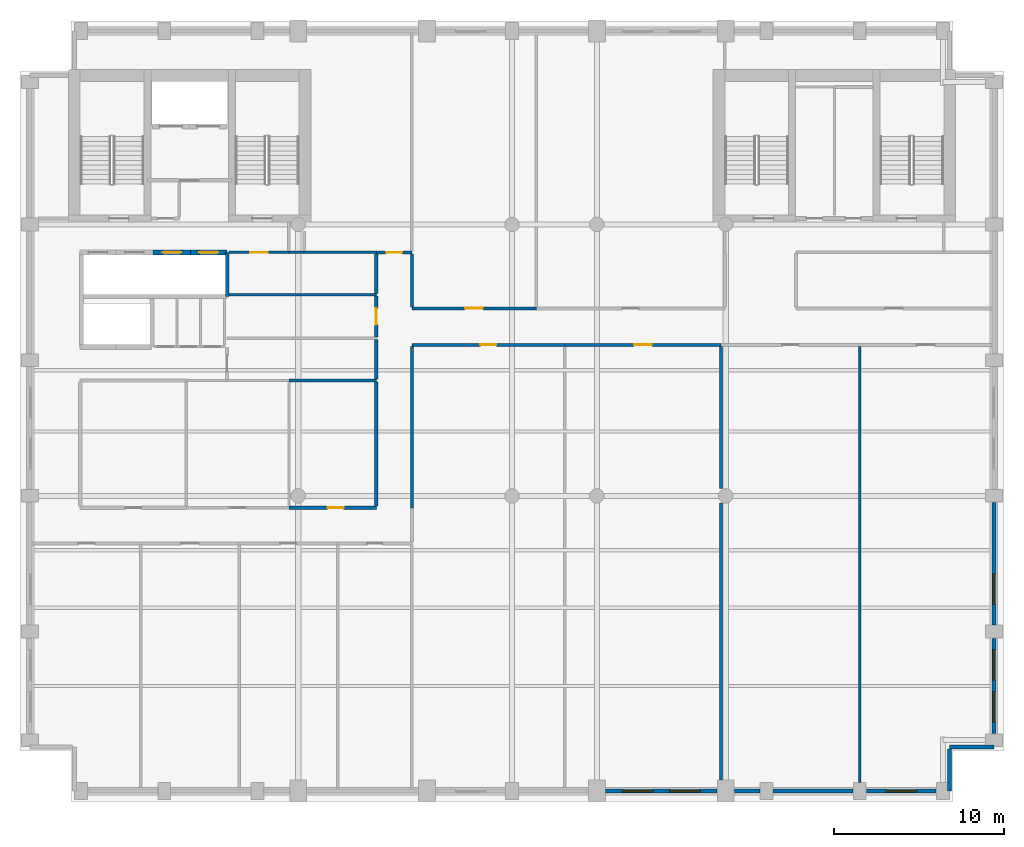
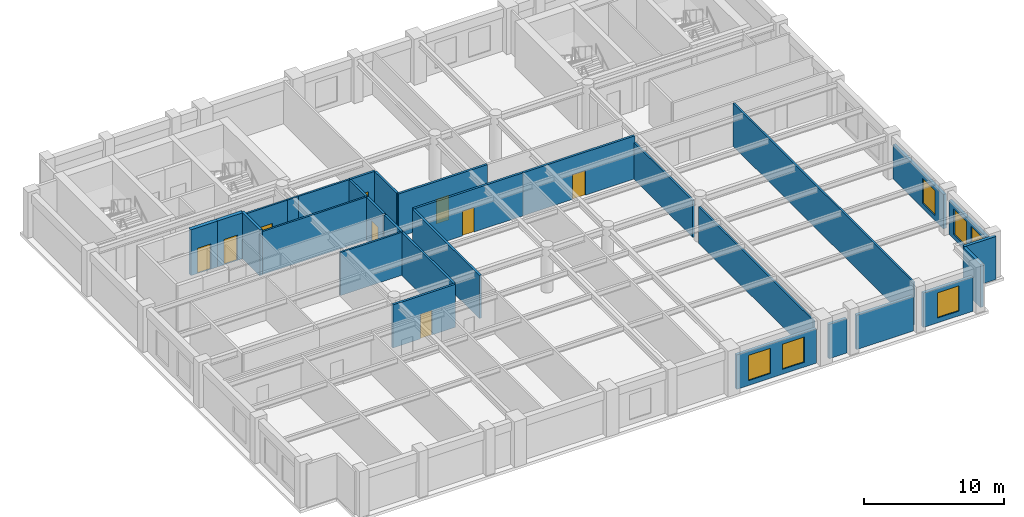
# One storey, part 4 of 8: 30 walls, 9 doors, 6 windows, 15 openings.
"""IFC4 building model written with IfcOpenShell, lengths in metres."""

from ifc_helpers import new_model, si_unit, direction, frame, frame_2d, origin, place, context, subcontext, project, spatial, rectangle, extrude, material, layer, layer_set, type_object, element, fill, save


model = new_model("IFC4")

# Units and contexts
model_context = context("Model", 3, precision=1e-05, world=origin(), true_north=direction((0.0, 1.0)))
body_context = subcontext(model_context, "Body", "Model", "MODEL_VIEW")
ifc_project = project(units=[si_unit("LENGTHUNIT", "METRE"), si_unit("AREAUNIT", "SQUARE_METRE"), si_unit("VOLUMEUNIT", "CUBIC_METRE"), si_unit("PLANEANGLEUNIT", "RADIAN"), si_unit("MASSUNIT", "GRAM", prefix="KILO")], contexts=[model_context])

# Site, building, storey
site_placement = place(None, origin())
site = spatial("IfcSite", under=ifc_project, at=site_placement, CompositionType="ELEMENT")
building_placement = place(site_placement, origin())
building = spatial("IfcBuilding", under=site, at=building_placement, Name="Sulina Concourse Tower", CompositionType="ELEMENT")
storey_placement = place(building_placement, frame((0.0, 0.0, 256.60009765625)))
storey = spatial("IfcBuildingStorey", under=building, at=storey_placement, Name="L62", CompositionType="ELEMENT", Elevation=256.60009765625)

# Wall
ifc_material_1 = material(Name="Concrete C50/60", Category="concrete")
ifc_layer_1 = layer(ifc_material_1, 0.219970703125)
ifc_layer_set_1 = layer_set([ifc_layer_1], Name="Concrete C50/60")
wall_type_1 = type_object("IfcWallType", Name="Core Lift Hoistway Divider Wall 220mm", PredefinedType="SOLIDWALL", material=ifc_layer_set_1)
wall_1_placement = place(storey_placement, frame((12.219970703125, 29.75, 0.0), z_axis=(0.0, 0.0, 1.0), x_axis=(0.0, 1.0, 0.0)))
element("IfcWall", 1, at=wall_1_placement, inside=storey, type_object=wall_type_1, Name="L62 shaft divider wall HW-LP3-E", PredefinedType="SOLIDWALL", context=body_context, shape_type="SweptSolid", body=[
    extrude(rectangle(XDim=2.60009765625, YDim=0.219970703125, at=frame_2d((1.300048828125, 0.0))), origin(), (0.0, 0.0, 1.0), 4.0),
])

# Wall, opening, door
ifc_material_2 = material(Name="Concrete C50/60", Category="concrete")
ifc_layer_2 = layer(ifc_material_2, 0.300048828125)
ifc_layer_set_2 = layer_set([ifc_layer_2], Name="Concrete C50/60")
wall_type_2 = type_object("IfcWallType", Name="Core Lift Hoistway Wall 300mm", PredefinedType="SOLIDWALL", material=ifc_layer_set_2)
wall_2_placement = place(storey_placement, frame((7.85009765625, 32.35009765625, 0.0), z_axis=(0.0, 0.0, 1.0), x_axis=(1.0, 0.0, 0.0)))
wall_2 = element("IfcWall", 2, at=wall_2_placement, inside=storey, type_object=wall_type_2, Name="L62 hoistway enclosure wall LP-11", PredefinedType="SOLIDWALL", context=body_context, shape_type="SweptSolid", body=[
    extrude(rectangle(XDim=2.199951171875, YDim=0.300048828125, at=frame_2d((1.10009765625, 0.0))), origin(), (0.0, 0.0, 1.0), 4.0),
])
opening_1_placement = place(wall_2_placement, frame((0.550048828125, 0.0, 0.0)))
opening_1 = element("IfcOpeningElement", 3, at=opening_1_placement, cuts=wall_2, Name="Opening LD-01", PredefinedType="OPENING", context=body_context, shape_type="SweptSolid", body=[
    extrude(rectangle(XDim=1.10009765625, YDim=2.199951171875, at=frame_2d((0.550048828125, 1.10009765625))), frame((0.0, 0.159912109375, 0.0), z_axis=(0.0, -1.0, 0.0), x_axis=(1.0, 0.0, 0.0)), (0.0, 0.0, 1.0), 0.320068359375),
])
ifc_material_3 = material(Name="Stainless steel lift landing door", Category="steel")
ifc_layer_3 = layer(ifc_material_3, 0.050048828125)
ifc_layer_set_3 = layer_set([ifc_layer_3], Name="Stainless steel lift landing door")
door_type_1 = type_object("IfcDoorType", Name="Passenger Lift Sliding Landing Door 1100x2200", OperationType="SLIDING_TO_LEFT", PredefinedType="DOOR", material=ifc_layer_set_3)
door_1_placement = place(opening_1_placement, origin())
door_1 = element("IfcDoor", 4, at=door_1_placement, inside=storey, type_object=door_type_1, Name="L62 lift landing sliding door LP-11", OperationType="SLIDING_TO_LEFT", OverallHeight=2.199951171875, OverallWidth=1.10009765625, PredefinedType="DOOR", context=body_context, shape_type="SweptSolid", body=[
    extrude(rectangle(XDim=1.10009765625, YDim=2.199951171875, at=frame_2d((0.550048828125, 1.10009765625))), frame((0.0, 0.02490234375, 0.0), z_axis=(0.0, -1.0, 0.0), x_axis=(1.0, 0.0, 0.0)), (0.0, 0.0, 1.0), 0.050048828125),
])
fill(opening_1, door_1)

wall_3_placement = place(storey_placement, frame((10.050048828125, 32.35009765625, 0.0), z_axis=(0.0, 0.0, 1.0), x_axis=(1.0, 0.0, 0.0)))
wall_3 = element("IfcWall", 5, at=wall_3_placement, inside=storey, type_object=wall_type_2, Name="L62 hoistway enclosure wall LP-12", PredefinedType="SOLIDWALL", context=body_context, shape_type="SweptSolid", body=[
    extrude(rectangle(XDim=2.14990234375, YDim=0.300048828125, at=frame_2d((1.074951171875, 0.0))), origin(), (0.0, 0.0, 1.0), 4.0),
])
opening_2_placement = place(wall_3_placement, frame((0.52490234375, 0.0, 0.0)))
opening_2 = element("IfcOpeningElement", 6, at=opening_2_placement, cuts=wall_3, Name="Opening LD-01", PredefinedType="OPENING", context=body_context, shape_type="SweptSolid", body=[
    extrude(rectangle(XDim=1.10009765625, YDim=2.199951171875, at=frame_2d((0.550048828125, 1.10009765625))), frame((0.0, 0.159912109375, 0.0), z_axis=(0.0, -1.0, 0.0), x_axis=(1.0, 0.0, 0.0)), (0.0, 0.0, 1.0), 0.320068359375),
])
door_2_placement = place(opening_2_placement, origin())
door_2 = element("IfcDoor", 7, at=door_2_placement, inside=storey, type_object=door_type_1, Name="L62 lift landing sliding door LP-12", OperationType="SLIDING_TO_RIGHT", OverallHeight=2.199951171875, OverallWidth=1.10009765625, PredefinedType="DOOR", context=body_context, shape_type="SweptSolid", body=[
    extrude(rectangle(XDim=1.10009765625, YDim=2.199951171875, at=frame_2d((0.550048828125, 1.10009765625))), frame((0.0, 0.02490234375, 0.0), z_axis=(0.0, -1.0, 0.0), x_axis=(1.0, 0.0, 0.0)), (0.0, 0.0, 1.0), 0.050048828125),
])
fill(opening_2, door_2)

# Wall, openings, windows
ifc_material_4 = material(Name="Precast concrete C50/60", Category="concrete")
ifc_layer_4 = layer(ifc_material_4, 0.239990234375)
ifc_layer_set_4 = layer_set([ifc_layer_4], Name="Precast concrete C50/60")
wall_type_3 = type_object("IfcWallType", Name="Crown Precast Masonry-Frame Facade Wall 240mm", PredefinedType="SOLIDWALL", material=ifc_layer_set_4)
wall_4_placement = place(storey_placement, frame((41.080078125, 0.60009765625, 0.0), z_axis=(0.0, 0.0, 1.0), x_axis=(-1.0, 0.0, 0.0)))
wall_4 = element("IfcWall", 8, at=wall_4_placement, inside=storey, type_object=wall_type_3, Name="L62 exterior precast wall S7", PredefinedType="SOLIDWALL", context=body_context, shape_type="SweptSolid", body=[
    extrude(rectangle(XDim=6.56005859375, YDim=0.239990234375, at=frame_2d((3.280029296875, 0.0))), origin(), (0.0, 0.0, 1.0), 3.0),
])
opening_3_placement = place(wall_4_placement, frame((0.98681640625, 0.0, 0.419921875)))
opening_3 = element("IfcOpeningElement", 9, at=opening_3_placement, cuts=wall_4, Name="Opening WN-25", PredefinedType="OPENING", context=body_context, shape_type="SweptSolid", body=[
    extrude(rectangle(XDim=1.800048828125, YDim=2.199951171875, at=frame_2d((0.89990234375, 1.10009765625))), frame((0.0, 0.1298828125, 0.0), z_axis=(0.0, -1.0, 0.0), x_axis=(1.0, 0.0, 0.0)), (0.0, 0.0, 1.0), 0.260009765625),
])
opening_4_placement = place(wall_4_placement, frame((3.773193359375, 0.0, 0.419921875)))
opening_4 = element("IfcOpeningElement", 10, at=opening_4_placement, cuts=wall_4, Name="Opening WN-25", PredefinedType="OPENING", context=body_context, shape_type="SweptSolid", body=[
    extrude(rectangle(XDim=1.800048828125, YDim=2.199951171875, at=frame_2d((0.89990234375, 1.10009765625))), frame((0.0, 0.1298828125, 0.0), z_axis=(0.0, -1.0, 0.0), x_axis=(1.0, 0.0, 0.0)), (0.0, 0.0, 1.0), 0.260009765625),
])
ifc_material_5 = material(Name="Low-E solar double glazing in bronze aluminium", Category="aluminium")
window_type = type_object("IfcWindowType", Name="Punched Masonry-Frame Window 1800x2200", PartitioningType="SINGLE_PANEL", PredefinedType="WINDOW", material=ifc_material_5)
window_1_placement = place(opening_3_placement, origin())
window_1 = element("IfcWindow", 11, at=window_1_placement, inside=storey, type_object=window_type, Name="L62 punched window S7-1", OverallHeight=2.199951171875, OverallWidth=1.800048828125, PartitioningType="SINGLE_PANEL", PredefinedType="WINDOW", context=body_context, shape_type="SweptSolid", body=[
    extrude(rectangle(XDim=1.800048828125, YDim=2.199951171875, at=frame_2d((0.89990234375, 1.10009765625))), frame((0.0, 0.030029296875, 0.0), z_axis=(0.0, -1.0, 0.0), x_axis=(1.0, 0.0, 0.0)), (0.0, 0.0, 1.0), 0.06005859375),
])
fill(opening_3, window_1)
window_2_placement = place(opening_4_placement, origin())
window_2 = element("IfcWindow", 12, at=window_2_placement, inside=storey, type_object=window_type, Name="L62 punched window S7-2", OverallHeight=2.199951171875, OverallWidth=1.800048828125, PartitioningType="SINGLE_PANEL", PredefinedType="WINDOW", context=body_context, shape_type="SweptSolid", body=[
    extrude(rectangle(XDim=1.800048828125, YDim=2.199951171875, at=frame_2d((0.89990234375, 1.10009765625))), frame((0.0, 0.030029296875, 0.0), z_axis=(0.0, -1.0, 0.0), x_axis=(1.0, 0.0, 0.0)), (0.0, 0.0, 1.0), 0.06005859375),
])
fill(opening_4, window_2)

# Walls
wall_5_placement = place(storey_placement, frame((43.60498046875, 0.60009765625, 0.0), z_axis=(0.0, 0.0, 1.0), x_axis=(-1.0, 0.0, 0.0)))
element("IfcWall", 13, at=wall_5_placement, inside=storey, type_object=wall_type_3, Name="L62 exterior precast wall S8", PredefinedType="SOLIDWALL", context=body_context, shape_type="SweptSolid", body=[
    extrude(rectangle(XDim=1.48486328125, YDim=0.239990234375, at=frame_2d((0.742431640625, 0.0))), origin(), (0.0, 0.0, 1.0), 3.0),
])
wall_6_placement = place(storey_placement, frame((49.10498046875, 0.60009765625, 0.0), z_axis=(0.0, 0.0, 1.0), x_axis=(-1.0, 0.0, 0.0)))
element("IfcWall", 14, at=wall_6_placement, inside=storey, type_object=wall_type_3, Name="L62 exterior precast wall S9", PredefinedType="SOLIDWALL", context=body_context, shape_type="SweptSolid", body=[
    extrude(rectangle(XDim=4.7099609375, YDim=0.239990234375, at=frame_2d((2.35498046875, 0.0))), origin(), (0.0, 0.0, 1.0), 3.0),
])

# Wall, opening, window
wall_7_placement = place(storey_placement, frame((54.0048828125, 0.60009765625, 0.0), z_axis=(0.0, 0.0, 1.0), x_axis=(-1.0, 0.0, 0.0)))
wall_7 = element("IfcWall", 15, at=wall_7_placement, inside=storey, type_object=wall_type_3, Name="L62 exterior precast wall S10", PredefinedType="SOLIDWALL", context=body_context, shape_type="SweptSolid", body=[
    extrude(rectangle(XDim=4.10986328125, YDim=0.239990234375, at=frame_2d((2.054931640625, 0.0))), origin(), (0.0, 0.0, 1.0), 3.0),
])
opening_5_placement = place(wall_7_placement, frame((1.155029296875, 0.0, 0.419921875)))
opening_5 = element("IfcOpeningElement", 16, at=opening_5_placement, cuts=wall_7, Name="Opening WN-25", PredefinedType="OPENING", context=body_context, shape_type="SweptSolid", body=[
    extrude(rectangle(XDim=1.800048828125, YDim=2.199951171875, at=frame_2d((0.89990234375, 1.10009765625))), frame((0.0, 0.1298828125, 0.0), z_axis=(0.0, -1.0, 0.0), x_axis=(1.0, 0.0, 0.0)), (0.0, 0.0, 1.0), 0.260009765625),
])
window_3_placement = place(opening_5_placement, origin())
window_3 = element("IfcWindow", 17, at=window_3_placement, inside=storey, type_object=window_type, Name="L62 punched window S10-1", OverallHeight=2.199951171875, OverallWidth=1.800048828125, PartitioningType="SINGLE_PANEL", PredefinedType="WINDOW", context=body_context, shape_type="SweptSolid", body=[
    extrude(rectangle(XDim=1.800048828125, YDim=2.199951171875, at=frame_2d((0.89990234375, 1.10009765625))), frame((0.0, 0.030029296875, 0.0), z_axis=(0.0, -1.0, 0.0), x_axis=(1.0, 0.0, 0.0)), (0.0, 0.0, 1.0), 0.06005859375),
])
fill(opening_5, window_3)

# Wall, openings, windows
wall_8_placement = place(storey_placement, frame((57.39990234375, 9.60498046875, 0.0), z_axis=(0.0, 0.0, 1.0), x_axis=(0.0, -1.0, 0.0)))
wall_8 = element("IfcWall", 18, at=wall_8_placement, inside=storey, type_object=wall_type_3, Name="L62 exterior precast wall E1", PredefinedType="SOLIDWALL", context=body_context, shape_type="SweptSolid", body=[
    extrude(rectangle(XDim=5.60986328125, YDim=0.239990234375, at=frame_2d((2.804931640625, 0.0))), origin(), (0.0, 0.0, 1.0), 3.0),
])
opening_6_placement = place(wall_8_placement, frame((0.669921875, 0.0, 0.419921875)))
opening_6 = element("IfcOpeningElement", 19, at=opening_6_placement, cuts=wall_8, Name="Opening WN-25", PredefinedType="OPENING", context=body_context, shape_type="SweptSolid", body=[
    extrude(rectangle(XDim=1.800048828125, YDim=2.199951171875, at=frame_2d((0.89990234375, 1.10009765625))), frame((0.0, 0.1298828125, 0.0), z_axis=(0.0, -1.0, 0.0), x_axis=(1.0, 0.0, 0.0)), (0.0, 0.0, 1.0), 0.260009765625),
])
opening_7_placement = place(wall_8_placement, frame((3.139892578125, 0.0, 0.419921875)))
opening_7 = element("IfcOpeningElement", 20, at=opening_7_placement, cuts=wall_8, Name="Opening WN-25", PredefinedType="OPENING", context=body_context, shape_type="SweptSolid", body=[
    extrude(rectangle(XDim=1.800048828125, YDim=2.199951171875, at=frame_2d((0.89990234375, 1.10009765625))), frame((0.0, 0.1298828125, 0.0), z_axis=(0.0, -1.0, 0.0), x_axis=(1.0, 0.0, 0.0)), (0.0, 0.0, 1.0), 0.260009765625),
])
window_4_placement = place(opening_6_placement, origin())
window_4 = element("IfcWindow", 21, at=window_4_placement, inside=storey, type_object=window_type, Name="L62 punched window E1-1", OverallHeight=2.199951171875, OverallWidth=1.800048828125, PartitioningType="SINGLE_PANEL", PredefinedType="WINDOW", context=body_context, shape_type="SweptSolid", body=[
    extrude(rectangle(XDim=1.800048828125, YDim=2.199951171875, at=frame_2d((0.89990234375, 1.10009765625))), frame((0.0, 0.030029296875, 0.0), z_axis=(0.0, -1.0, 0.0), x_axis=(1.0, 0.0, 0.0)), (0.0, 0.0, 1.0), 0.06005859375),
])
fill(opening_6, window_4)
window_5_placement = place(opening_7_placement, origin())
window_5 = element("IfcWindow", 22, at=window_5_placement, inside=storey, type_object=window_type, Name="L62 punched window E1-2", OverallHeight=2.199951171875, OverallWidth=1.800048828125, PartitioningType="SINGLE_PANEL", PredefinedType="WINDOW", context=body_context, shape_type="SweptSolid", body=[
    extrude(rectangle(XDim=1.800048828125, YDim=2.199951171875, at=frame_2d((0.89990234375, 1.10009765625))), frame((0.0, 0.030029296875, 0.0), z_axis=(0.0, -1.0, 0.0), x_axis=(1.0, 0.0, 0.0)), (0.0, 0.0, 1.0), 0.06005859375),
])
fill(opening_7, window_5)

# Wall, opening, window
wall_9_placement = place(storey_placement, frame((57.39990234375, 17.60498046875, 0.0), z_axis=(0.0, 0.0, 1.0), x_axis=(0.0, -1.0, 0.0)))
wall_9 = element("IfcWall", 23, at=wall_9_placement, inside=storey, type_object=wall_type_3, Name="L62 exterior precast wall E2", PredefinedType="SOLIDWALL", context=body_context, shape_type="SweptSolid", body=[
    extrude(rectangle(XDim=7.2099609375, YDim=0.239990234375, at=frame_2d((3.60498046875, 0.0))), origin(), (0.0, 0.0, 1.0), 3.0),
])
opening_8_placement = place(wall_9_placement, frame((4.206787109375, 0.0, 0.419921875)))
opening_8 = element("IfcOpeningElement", 24, at=opening_8_placement, cuts=wall_9, Name="Opening WN-25", PredefinedType="OPENING", context=body_context, shape_type="SweptSolid", body=[
    extrude(rectangle(XDim=1.800048828125, YDim=2.199951171875, at=frame_2d((0.89990234375, 1.10009765625))), frame((0.0, 0.1298828125, 0.0), z_axis=(0.0, -1.0, 0.0), x_axis=(1.0, 0.0, 0.0)), (0.0, 0.0, 1.0), 0.260009765625),
])
window_6_placement = place(opening_8_placement, origin())
window_6 = element("IfcWindow", 25, at=window_6_placement, inside=storey, type_object=window_type, Name="L62 punched window E2-1", OverallHeight=2.199951171875, OverallWidth=1.800048828125, PartitioningType="SINGLE_PANEL", PredefinedType="WINDOW", context=body_context, shape_type="SweptSolid", body=[
    extrude(rectangle(XDim=1.800048828125, YDim=2.199951171875, at=frame_2d((0.89990234375, 1.10009765625))), frame((0.0, 0.030029296875, 0.0), z_axis=(0.0, -1.0, 0.0), x_axis=(1.0, 0.0, 0.0)), (0.0, 0.0, 1.0), 0.06005859375),
])
fill(opening_8, window_6)

# Walls
wall_10_placement = place(storey_placement, frame((57.39990234375, 3.205078125, 0.0), z_axis=(0.0, 0.0, 1.0), x_axis=(-1.0, 0.0, 0.0)))
element("IfcWall", 26, at=wall_10_placement, inside=storey, type_object=wall_type_3, Name="L62 exterior precast wall CSE1", PredefinedType="SOLIDWALL", context=body_context, shape_type="SweptSolid", body=[
    extrude(rectangle(XDim=2.60498046875, YDim=0.239990234375, at=frame_2d((1.302490234375, 0.0))), origin(), (0.0, 0.0, 1.0), 3.75),
])
wall_11_placement = place(storey_placement, frame((54.794921875, 3.080078125, 0.0), z_axis=(0.0, 0.0, 1.0), x_axis=(0.0, -1.0, 0.0)))
element("IfcWall", 27, at=wall_11_placement, inside=storey, type_object=wall_type_3, Name="L62 exterior precast wall CSE2", PredefinedType="SOLIDWALL", context=body_context, shape_type="SweptSolid", body=[
    extrude(rectangle(XDim=2.47998046875, YDim=0.239990234375, at=frame_2d((1.239990234375, 0.0))), origin(), (0.0, 0.0, 1.0), 3.75),
])
ifc_material_6 = material(Name="Gypsum board on steel stud", Category="steel")
ifc_layer_5 = layer(ifc_material_6, 0.14990234375)
ifc_layer_set_5 = layer_set([ifc_layer_5], Name="Gypsum board on steel stud")
wall_type_4 = type_object("IfcWallType", Name="Inter-Tenancy Acoustic Partition 150mm", PredefinedType="PARTITIONING", material=ifc_layer_set_5)
wall_12_placement = place(storey_placement, frame((15.85009765625, 24.800048828125, 0.0), z_axis=(0.0, 0.0, 1.0), x_axis=(1.0, 0.0, 0.0)))
element("IfcWall", 28, at=wall_12_placement, inside=storey, type_object=wall_type_4, Name="L62 interior partition 011", PredefinedType="PARTITIONING", context=body_context, shape_type="SweptSolid", body=[
    extrude(rectangle(XDim=5.14990234375, YDim=0.14990234375, at=frame_2d((2.574951171875, 0.0))), origin(), (0.0, 0.0, 1.0), 3.75),
])
wall_13_placement = place(storey_placement, frame((12.330078125, 29.85009765625, 0.0), z_axis=(0.0, 0.0, 1.0), x_axis=(1.0, 0.0, 0.0)))
element("IfcWall", 29, at=wall_13_placement, inside=storey, type_object=wall_type_4, Name="L62 interior partition 023", PredefinedType="PARTITIONING", context=body_context, shape_type="SweptSolid", body=[
    extrude(rectangle(XDim=8.669921875, YDim=0.14990234375, at=frame_2d((4.3349609375, 0.0))), origin(), (0.0, 0.0, 1.0), 3.75),
])

# Wall, opening, door
wall_14_placement = place(storey_placement, frame((12.330078125, 32.35009765625, 0.0), z_axis=(0.0, 0.0, 1.0), x_axis=(1.0, 0.0, 0.0)))
wall_14 = element("IfcWall", 30, at=wall_14_placement, inside=storey, type_object=wall_type_4, Name="L62 interior partition 024", PredefinedType="PARTITIONING", context=body_context, shape_type="SweptSolid", body=[
    extrude(rectangle(XDim=3.52001953125, YDim=0.14990234375, at=frame_2d((1.760009765625, 0.0))), origin(), (0.0, 0.0, 1.0), 3.75),
])
opening_9_placement = place(wall_14_placement, frame((1.235107421875, 0.0, 0.0)))
opening_9 = element("IfcOpeningElement", 31, at=opening_9_placement, cuts=wall_14, Name="Opening DR-37", PredefinedType="OPENING", context=body_context, shape_type="SweptSolid", body=[
    extrude(rectangle(XDim=1.050048828125, YDim=2.14990234375, at=frame_2d((0.52490234375, 1.074951171875))), frame((0.0, 0.0849609375, 0.0), z_axis=(0.0, -1.0, 0.0), x_axis=(1.0, 0.0, 0.0)), (0.0, 0.0, 1.0), 0.169921875),
])
ifc_material_7 = material(Name="Oak-veneered fire door leaf")
ifc_layer_6 = layer(ifc_material_7, 0.050048828125)
ifc_layer_set_6 = layer_set([ifc_layer_6], Name="Oak-veneered fire door leaf")
door_type_2 = type_object("IfcDoorType", Name="Tenant Suite Entrance Fire Door 1050x2150", OperationType="NOTDEFINED", PredefinedType="DOOR", material=ifc_layer_set_6)
door_3_placement = place(opening_9_placement, origin())
door_3 = element("IfcDoor", 32, at=door_3_placement, inside=storey, type_object=door_type_2, Name="L62 interior door L62-MR-MRG3", OperationType="SINGLE_SWING_RIGHT", OverallHeight=2.14990234375, OverallWidth=1.050048828125, PredefinedType="DOOR", context=body_context, shape_type="SweptSolid", body=[
    extrude(rectangle(XDim=1.050048828125, YDim=2.14990234375, at=frame_2d((0.52490234375, 1.074951171875))), frame((0.0, 0.02490234375, 0.0), z_axis=(0.0, -1.0, 0.0), x_axis=(1.0, 0.0, 0.0)), (0.0, 0.0, 1.0), 0.050048828125),
])
fill(opening_9, door_3)

# Walls
wall_15_placement = place(storey_placement, frame((15.85009765625, 32.35009765625, 0.0), z_axis=(0.0, 0.0, 1.0), x_axis=(1.0, 0.0, 0.0)))
element("IfcWall", 33, at=wall_15_placement, inside=storey, type_object=wall_type_4, Name="L62 interior partition 025", PredefinedType="PARTITIONING", context=body_context, shape_type="SweptSolid", body=[
    extrude(rectangle(XDim=0.89990234375, YDim=0.14990234375, at=frame_2d((0.449951171875, 0.0))), origin(), (0.0, 0.0, 1.0), 3.75),
])
wall_16_placement = place(storey_placement, frame((16.75, 32.35009765625, 0.0), z_axis=(0.0, 0.0, 1.0), x_axis=(1.0, 0.0, 0.0)))
element("IfcWall", 34, at=wall_16_placement, inside=storey, type_object=wall_type_4, Name="L62 interior partition 026", PredefinedType="PARTITIONING", context=body_context, shape_type="SweptSolid", body=[
    extrude(rectangle(XDim=4.25, YDim=0.14990234375, at=frame_2d((2.125, 0.0))), origin(), (0.0, 0.0, 1.0), 3.75),
])
wall_17_placement = place(storey_placement, frame((41.320068359375, 1.25, 0.0), z_axis=(0.0, 0.0, 1.0), x_axis=(0.0, 1.0, 0.0)))
element("IfcWall", 35, at=wall_17_placement, inside=storey, type_object=wall_type_4, Name="L62 interior partition 058", PredefinedType="PARTITIONING", context=body_context, shape_type="SweptSolid", body=[
    extrude(rectangle(XDim=16.324951171875, YDim=0.14990234375, at=frame_2d((8.16259765625, 0.0))), origin(), (0.0, 0.0, 1.0), 3.19482421875),
])
wall_18_placement = place(storey_placement, frame((41.320068359375, 18.425048828125, 0.0), z_axis=(0.0, 0.0, 1.0), x_axis=(0.0, 1.0, 0.0)))
element("IfcWall", 36, at=wall_18_placement, inside=storey, type_object=wall_type_4, Name="L62 interior partition 059", PredefinedType="PARTITIONING", context=body_context, shape_type="SweptSolid", body=[
    extrude(rectangle(XDim=8.385009765625, YDim=0.14990234375, at=frame_2d((4.1923828125, 0.0))), origin(), (0.0, 0.0, 1.0), 3.19482421875),
])
wall_19_placement = place(storey_placement, frame((49.5, 1.10009765625, 0.0), z_axis=(0.0, 0.0, 1.0), x_axis=(0.0, 1.0, 0.0)))
element("IfcWall", 37, at=wall_19_placement, inside=storey, type_object=wall_type_4, Name="L62 interior partition 065", PredefinedType="PARTITIONING", context=body_context, shape_type="SweptSolid", body=[
    extrude(rectangle(XDim=25.7099609375, YDim=0.14990234375, at=frame_2d((12.85498046875, 0.0))), origin(), (0.0, 0.0, 1.0), 3.75),
])

# Wall, opening, door
ifc_material_8 = material(Name="Gypsum board on steel stud", Category="steel")
ifc_layer_7 = layer(ifc_material_8, 0.179931640625)
ifc_layer_set_7 = layer_set([ifc_layer_7], Name="Gypsum board on steel stud")
wall_type_5 = type_object("IfcWallType", Name="Protected Corridor & Riser Partition 180mm", PredefinedType="PARTITIONING", material=ifc_layer_set_7)
wall_20_placement = place(storey_placement, frame((15.85009765625, 17.300048828125, 0.0), z_axis=(0.0, 0.0, 1.0), x_axis=(1.0, 0.0, 0.0)))
wall_20 = element("IfcWall", 38, at=wall_20_placement, inside=storey, type_object=wall_type_5, Name="L62 interior partition 007", PredefinedType="PARTITIONING", context=body_context, shape_type="SweptSolid", body=[
    extrude(rectangle(XDim=5.14990234375, YDim=0.179931640625, at=frame_2d((2.574951171875, 0.0))), origin(), (0.0, 0.0, 1.0), 3.75),
])
opening_10_placement = place(wall_20_placement, frame((2.280029296875, 0.0, 0.0)))
opening_10 = element("IfcOpeningElement", 39, at=opening_10_placement, cuts=wall_20, Name="Opening DR-19", PredefinedType="OPENING", context=body_context, shape_type="SweptSolid", body=[
    extrude(rectangle(XDim=0.949951171875, YDim=2.14990234375, at=frame_2d((0.47509765625, 1.074951171875))), frame((0.0, 0.099853515625, 0.0), z_axis=(0.0, -1.0, 0.0), x_axis=(1.0, 0.0, 0.0)), (0.0, 0.0, 1.0), 0.199951171875),
])
ifc_material_9 = material(Name="Oak-veneered acoustic timber leaf", Category="wood")
ifc_layer_8 = layer(ifc_material_9, 0.050048828125)
ifc_layer_set_8 = layer_set([ifc_layer_8], Name="Oak-veneered acoustic timber leaf")
door_type_3 = type_object("IfcDoorType", Name="Cellular Office & Meeting Door 950x2150", OperationType="NOTDEFINED", PredefinedType="DOOR", material=ifc_layer_set_8)
door_4_placement = place(opening_10_placement, origin())
door_4 = element("IfcDoor", 40, at=door_4_placement, inside=storey, type_object=door_type_3, Name="L62 interior door L62-NZ-PKW", OperationType="SINGLE_SWING_LEFT", OverallHeight=2.14990234375, OverallWidth=0.949951171875, PredefinedType="DOOR", context=body_context, shape_type="SweptSolid", body=[
    extrude(rectangle(XDim=0.949951171875, YDim=2.14990234375, at=frame_2d((0.47509765625, 1.074951171875))), frame((0.0, 0.02490234375, 0.0), z_axis=(0.0, -1.0, 0.0), x_axis=(1.0, 0.0, 0.0)), (0.0, 0.0, 1.0), 0.050048828125),
])
fill(opening_10, door_4)

wall_21_placement = place(storey_placement, frame((23.10009765625, 26.89990234375, 0.0), z_axis=(0.0, 0.0, 1.0), x_axis=(1.0, 0.0, 0.0)))
wall_21 = element("IfcWall", 41, at=wall_21_placement, inside=storey, type_object=wall_type_5, Name="L62 interior partition 015", PredefinedType="PARTITIONING", context=body_context, shape_type="SweptSolid", body=[
    extrude(rectangle(XDim=9.02001953125, YDim=0.179931640625, at=frame_2d((4.510009765625, 0.0))), origin(), (0.0, 0.0, 1.0), 3.75),
])
opening_11_placement = place(wall_21_placement, frame((4.034912109375, 0.0, 0.0)))
opening_11 = element("IfcOpeningElement", 42, at=opening_11_placement, cuts=wall_21, Name="Opening DR-19", PredefinedType="OPENING", context=body_context, shape_type="SweptSolid", body=[
    extrude(rectangle(XDim=0.949951171875, YDim=2.14990234375, at=frame_2d((0.47509765625, 1.074951171875))), frame((0.0, 0.099853515625, 0.0), z_axis=(0.0, -1.0, 0.0), x_axis=(1.0, 0.0, 0.0)), (0.0, 0.0, 1.0), 0.199951171875),
])
door_5_placement = place(opening_11_placement, origin())
door_5 = element("IfcDoor", 43, at=door_5_placement, inside=storey, type_object=door_type_3, Name="L62 interior door L62-S05", OperationType="SINGLE_SWING_LEFT", OverallHeight=2.14990234375, OverallWidth=0.949951171875, PredefinedType="DOOR", context=body_context, shape_type="SweptSolid", body=[
    extrude(rectangle(XDim=0.949951171875, YDim=2.14990234375, at=frame_2d((0.47509765625, 1.074951171875))), frame((0.0, 0.02490234375, 0.0), z_axis=(0.0, -1.0, 0.0), x_axis=(1.0, 0.0, 0.0)), (0.0, 0.0, 1.0), 0.050048828125),
])
fill(opening_11, door_5)

wall_22_placement = place(storey_placement, frame((32.1201171875, 26.89990234375, 0.0), z_axis=(0.0, 0.0, 1.0), x_axis=(1.0, 0.0, 0.0)))
wall_22 = element("IfcWall", 44, at=wall_22_placement, inside=storey, type_object=wall_type_5, Name="L62 interior partition 016", PredefinedType="PARTITIONING", context=body_context, shape_type="SweptSolid", body=[
    extrude(rectangle(XDim=9.199951171875, YDim=0.179931640625, at=frame_2d((4.60009765625, 0.0))), origin(), (0.0, 0.0, 1.0), 3.75),
])
opening_12_placement = place(wall_22_placement, frame((4.074951171875, 0.0, 0.0)))
opening_12 = element("IfcOpeningElement", 45, at=opening_12_placement, cuts=wall_22, Name="Opening DR-37", PredefinedType="OPENING", context=body_context, shape_type="SweptSolid", body=[
    extrude(rectangle(XDim=1.050048828125, YDim=2.14990234375, at=frame_2d((0.52490234375, 1.074951171875))), frame((0.0, 0.099853515625, 0.0), z_axis=(0.0, -1.0, 0.0), x_axis=(1.0, 0.0, 0.0)), (0.0, 0.0, 1.0), 0.199951171875),
])
door_6_placement = place(opening_12_placement, origin())
door_6 = element("IfcDoor", 46, at=door_6_placement, inside=storey, type_object=door_type_2, Name="L62 interior door L62-S06", OperationType="SINGLE_SWING_RIGHT", OverallHeight=2.14990234375, OverallWidth=1.050048828125, PredefinedType="DOOR", context=body_context, shape_type="SweptSolid", body=[
    extrude(rectangle(XDim=1.050048828125, YDim=2.14990234375, at=frame_2d((0.52490234375, 1.074951171875))), frame((0.0, 0.02490234375, 0.0), z_axis=(0.0, -1.0, 0.0), x_axis=(1.0, 0.0, 0.0)), (0.0, 0.0, 1.0), 0.050048828125),
])
fill(opening_12, door_6)

wall_23_placement = place(storey_placement, frame((23.10009765625, 29.050048828125, 0.0), z_axis=(0.0, 0.0, 1.0), x_axis=(1.0, 0.0, 0.0)))
wall_23 = element("IfcWall", 47, at=wall_23_placement, inside=storey, type_object=wall_type_5, Name="L62 interior partition 020", PredefinedType="PARTITIONING", context=body_context, shape_type="SweptSolid", body=[
    extrude(rectangle(XDim=7.329833984375, YDim=0.179931640625, at=frame_2d((3.6650390625, 0.0))), origin(), (0.0, 0.0, 1.0), 3.75),
])
opening_13_placement = place(wall_23_placement, frame((3.139892578125, 0.0, 0.0)))
opening_13 = element("IfcOpeningElement", 48, at=opening_13_placement, cuts=wall_23, Name="Opening DR-37", PredefinedType="OPENING", context=body_context, shape_type="SweptSolid", body=[
    extrude(rectangle(XDim=1.050048828125, YDim=2.14990234375, at=frame_2d((0.52490234375, 1.074951171875))), frame((0.0, 0.099853515625, 0.0), z_axis=(0.0, -1.0, 0.0), x_axis=(1.0, 0.0, 0.0)), (0.0, 0.0, 1.0), 0.199951171875),
])
door_7_placement = place(opening_13_placement, origin())
door_7 = element("IfcDoor", 49, at=door_7_placement, inside=storey, type_object=door_type_2, Name="L62 interior door L62-NC1", OperationType="SINGLE_SWING_LEFT", OverallHeight=2.14990234375, OverallWidth=1.050048828125, PredefinedType="DOOR", context=body_context, shape_type="SweptSolid", body=[
    extrude(rectangle(XDim=1.050048828125, YDim=2.14990234375, at=frame_2d((0.52490234375, 1.074951171875))), frame((0.0, 0.02490234375, 0.0), z_axis=(0.0, -1.0, 0.0), x_axis=(1.0, 0.0, 0.0)), (0.0, 0.0, 1.0), 0.050048828125),
])
fill(opening_13, door_7)

wall_24_placement = place(storey_placement, frame((21.0, 32.35009765625, 0.0), z_axis=(0.0, 0.0, 1.0), x_axis=(1.0, 0.0, 0.0)))
wall_24 = element("IfcWall", 50, at=wall_24_placement, inside=storey, type_object=wall_type_5, Name="L62 interior partition 027", PredefinedType="PARTITIONING", context=body_context, shape_type="SweptSolid", body=[
    extrude(rectangle(XDim=2.10009765625, YDim=0.179931640625, at=frame_2d((1.050048828125, 0.0))), origin(), (0.0, 0.0, 1.0), 3.75),
])
opening_14_placement = place(wall_24_placement, frame((0.574951171875, 0.0, 0.0)))
opening_14 = element("IfcOpeningElement", 51, at=opening_14_placement, cuts=wall_24, Name="Opening DR-19", PredefinedType="OPENING", context=body_context, shape_type="SweptSolid", body=[
    extrude(rectangle(XDim=0.949951171875, YDim=2.14990234375, at=frame_2d((0.47509765625, 1.074951171875))), frame((0.0, 0.099853515625, 0.0), z_axis=(0.0, -1.0, 0.0), x_axis=(1.0, 0.0, 0.0)), (0.0, 0.0, 1.0), 0.199951171875),
])
door_8_placement = place(opening_14_placement, origin())
door_8 = element("IfcDoor", 52, at=door_8_placement, inside=storey, type_object=door_type_3, Name="L62 interior door L62-NC-NW", OperationType="SINGLE_SWING_LEFT", OverallHeight=2.14990234375, OverallWidth=0.949951171875, PredefinedType="DOOR", context=body_context, shape_type="SweptSolid", body=[
    extrude(rectangle(XDim=0.949951171875, YDim=2.14990234375, at=frame_2d((0.47509765625, 1.074951171875))), frame((0.0, 0.02490234375, 0.0), z_axis=(0.0, -1.0, 0.0), x_axis=(1.0, 0.0, 0.0)), (0.0, 0.0, 1.0), 0.050048828125),
])
fill(opening_14, door_8)

# Walls
wall_25_placement = place(storey_placement, frame((21.0, 17.389892578125, 0.0), z_axis=(0.0, 0.0, 1.0), x_axis=(0.0, 1.0, 0.0)))
element("IfcWall", 53, at=wall_25_placement, inside=storey, type_object=wall_type_5, Name="L62 interior partition 047", PredefinedType="PARTITIONING", context=body_context, shape_type="SweptSolid", body=[
    extrude(rectangle(XDim=7.335205078125, YDim=0.179931640625, at=frame_2d((3.66748046875, 0.0))), origin(), (0.0, 0.0, 1.0), 3.75),
])
wall_26_placement = place(storey_placement, frame((21.0, 24.875, 0.0), z_axis=(0.0, 0.0, 1.0), x_axis=(0.0, 1.0, 0.0)))
element("IfcWall", 54, at=wall_26_placement, inside=storey, type_object=wall_type_5, Name="L62 interior partition 048", PredefinedType="PARTITIONING", context=body_context, shape_type="SweptSolid", body=[
    extrude(rectangle(XDim=2.35009765625, YDim=0.179931640625, at=frame_2d((1.175048828125, 0.0))), origin(), (0.0, 0.0, 1.0), 3.75),
])

# Wall, opening, door
wall_27_placement = place(storey_placement, frame((21.0, 27.375, 0.0), z_axis=(0.0, 0.0, 1.0), x_axis=(0.0, 1.0, 0.0)))
wall_27 = element("IfcWall", 55, at=wall_27_placement, inside=storey, type_object=wall_type_5, Name="L62 interior partition 049", PredefinedType="PARTITIONING", context=body_context, shape_type="SweptSolid", body=[
    extrude(rectangle(XDim=2.39990234375, YDim=0.179931640625, at=frame_2d((1.199951171875, 0.0))), origin(), (0.0, 0.0, 1.0), 3.75),
])
opening_15_placement = place(wall_27_placement, frame((0.72509765625, 0.0, 0.0)))
opening_15 = element("IfcOpeningElement", 56, at=opening_15_placement, cuts=wall_27, Name="Opening DR-19", PredefinedType="OPENING", context=body_context, shape_type="SweptSolid", body=[
    extrude(rectangle(XDim=0.949951171875, YDim=2.14990234375, at=frame_2d((0.47509765625, 1.074951171875))), frame((0.0, 0.099853515625, 0.0), z_axis=(0.0, -1.0, 0.0), x_axis=(1.0, 0.0, 0.0)), (0.0, 0.0, 1.0), 0.199951171875),
])
door_9_placement = place(opening_15_placement, origin())
door_9 = element("IfcDoor", 57, at=door_9_placement, inside=storey, type_object=door_type_3, Name="L62 interior door L62-MR-MRG2", OperationType="SINGLE_SWING_RIGHT", OverallHeight=2.14990234375, OverallWidth=0.949951171875, PredefinedType="DOOR", context=body_context, shape_type="SweptSolid", body=[
    extrude(rectangle(XDim=0.949951171875, YDim=2.14990234375, at=frame_2d((0.47509765625, 1.074951171875))), frame((0.0, 0.02490234375, 0.0), z_axis=(0.0, -1.0, 0.0), x_axis=(1.0, 0.0, 0.0)), (0.0, 0.0, 1.0), 0.050048828125),
])
fill(opening_15, door_9)

# Walls
wall_28_placement = place(storey_placement, frame((21.0, 29.925048828125, 0.0), z_axis=(0.0, 0.0, 1.0), x_axis=(0.0, 1.0, 0.0)))
element("IfcWall", 58, at=wall_28_placement, inside=storey, type_object=wall_type_5, Name="L62 interior partition 050", PredefinedType="PARTITIONING", context=body_context, shape_type="SweptSolid", body=[
    extrude(rectangle(XDim=2.3349609375, YDim=0.179931640625, at=frame_2d((1.16748046875, 0.0))), origin(), (0.0, 0.0, 1.0), 3.75),
])
wall_29_placement = place(storey_placement, frame((23.10009765625, 17.300048828125, 0.0), z_axis=(0.0, 0.0, 1.0), x_axis=(0.0, 1.0, 0.0)))
element("IfcWall", 59, at=wall_29_placement, inside=storey, type_object=wall_type_5, Name="L62 interior partition 053", PredefinedType="PARTITIONING", context=body_context, shape_type="SweptSolid", body=[
    extrude(rectangle(XDim=9.510009765625, YDim=0.179931640625, at=frame_2d((4.7548828125, 0.0))), origin(), (0.0, 0.0, 1.0), 3.75),
])
wall_30_placement = place(storey_placement, frame((23.10009765625, 29.139892578125, 0.0), z_axis=(0.0, 0.0, 1.0), x_axis=(0.0, 1.0, 0.0)))
element("IfcWall", 60, at=wall_30_placement, inside=storey, type_object=wall_type_5, Name="L62 interior partition 054", PredefinedType="PARTITIONING", context=body_context, shape_type="SweptSolid", body=[
    extrude(rectangle(XDim=3.1201171875, YDim=0.179931640625, at=frame_2d((1.56005859375, 0.0))), origin(), (0.0, 0.0, 1.0), 3.75),
])

save(model, "model.ifc")
